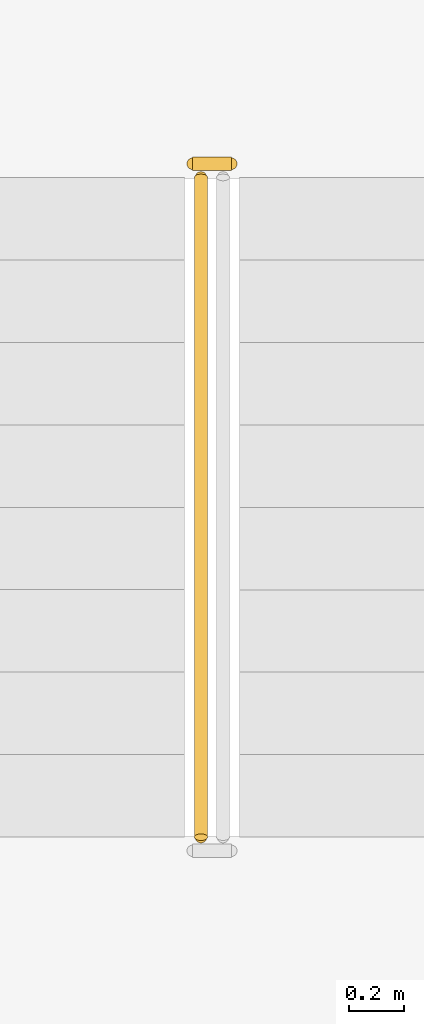
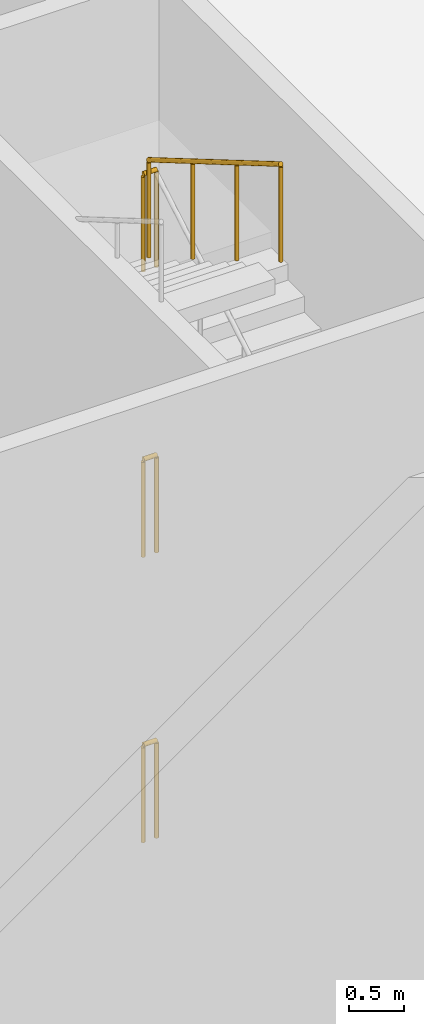
# One storey, part 89 of 114: 4 railings.
"""IFC4 building model written with IfcOpenShell, lengths in metres."""

from ifc_helpers import new_model, si_unit, direction, frame, origin, origin_2d, place, context, subcontext, project, spatial, circle, extrude, material, type_object, element, save


model = new_model("IFC4")

# Units and contexts
model_context = context("Model", 3, precision=1e-05, world=origin(), true_north=direction((0.0, 1.0)))
body_context = subcontext(model_context, "Body", "Model", "MODEL_VIEW")
ifc_project = project(units=[si_unit("LENGTHUNIT", "METRE"), si_unit("AREAUNIT", "SQUARE_METRE"), si_unit("VOLUMEUNIT", "CUBIC_METRE"), si_unit("PLANEANGLEUNIT", "RADIAN"), si_unit("MASSUNIT", "GRAM", prefix="KILO")], contexts=[model_context])

# Site, building, storey
site_placement = place(None, origin())
site = spatial("IfcSite", under=ifc_project, at=site_placement, CompositionType="ELEMENT")
building_placement = place(site_placement, origin())
building = spatial("IfcBuilding", under=site, at=building_placement, Name="Almond Square Museum", CompositionType="ELEMENT")
storey_placement = place(building_placement, frame((0.0, 0.0, 10.5)))
storey = spatial("IfcBuildingStorey", under=building, at=storey_placement, Name="L02", CompositionType="ELEMENT", Elevation=10.5)

# Railings
ifc_material = material(Name="Stainless steel and laminated glass", Category="steel")
railing_type = type_object("IfcRailingType", Name="Stair guard 1100 steel and glass", PredefinedType="GUARDRAIL", material=ifc_material)
for number, where, name in (
    (1, (130.6201171875, 14.60009765625, 1.583251953125), "L02 ST-32 stair guard 2"),
    (2, (130.6201171875, 14.60009765625, 4.75), "L02 ST-32 stair guard 6"),
    (3, (130.6201171875, 14.60009765625, 7.916748046875), "L02 ST-32 stair guard 10"),
):
    element("IfcRailing", number, at=place(storey_placement, frame(where)), inside=storey, type_object=railing_type, Name=name, PredefinedType="GUARDRAIL", context=body_context, shape_type="SweptSolid", body=[
        extrude(circle(Radius=0.02392578125, at=origin_2d()), frame((0.0, 0.0, 1.076171875), z_axis=(-1.0, 0.0, 0.0), x_axis=(0.0, -1.0, 0.0)), (0.0, 0.0, 1.0), 0.14013671875),
        extrude(circle(Radius=0.02099609375, at=origin_2d()), origin(), (0.0, 0.0, 1.0), 1.052001953125),
        extrude(circle(Radius=0.02099609375, at=origin_2d()), frame((-0.14013671875, 0.0, 0.0)), (0.0, 0.0, 1.0), 1.052001953125),
    ])
railing_placement = place(storey_placement, frame((130.510009765625, 14.550048828125, 8.092529296875)))
element("IfcRailing", 4, at=railing_placement, inside=storey, type_object=railing_type, Name="L02 ST-32 stair guard 11", PredefinedType="GUARDRAIL", context=body_context, shape_type="SweptSolid", body=[
    extrude(circle(Radius=0.02392578125, at=origin_2d()), frame((0.0, 0.0, 1.076171875), z_axis=(0.0, -0.862621396848, 0.505850102007), x_axis=(1.0, 0.0, 0.0)), (0.0, 0.0, 1.0), 2.782470703125),
    extrude(circle(Radius=0.02099609375, at=origin_2d()), origin(), (0.0, 0.0, 1.0), 1.052001953125),
    extrude(circle(Radius=0.02099609375, at=origin_2d()), frame((0.0, -0.800048828125, 0.46923828125)), (0.0, 0.0, 1.0), 1.052001953125),
    extrude(circle(Radius=0.02099609375, at=origin_2d()), frame((0.0, -1.60009765625, 0.938232421875)), (0.0, 0.0, 1.0), 1.052001953125),
    extrude(circle(Radius=0.02099609375, at=origin_2d()), frame((0.0, -2.400146484375, 1.407470703125)), (0.0, 0.0, 1.0), 1.052001953125),
])

save(model, "model.ifc")
